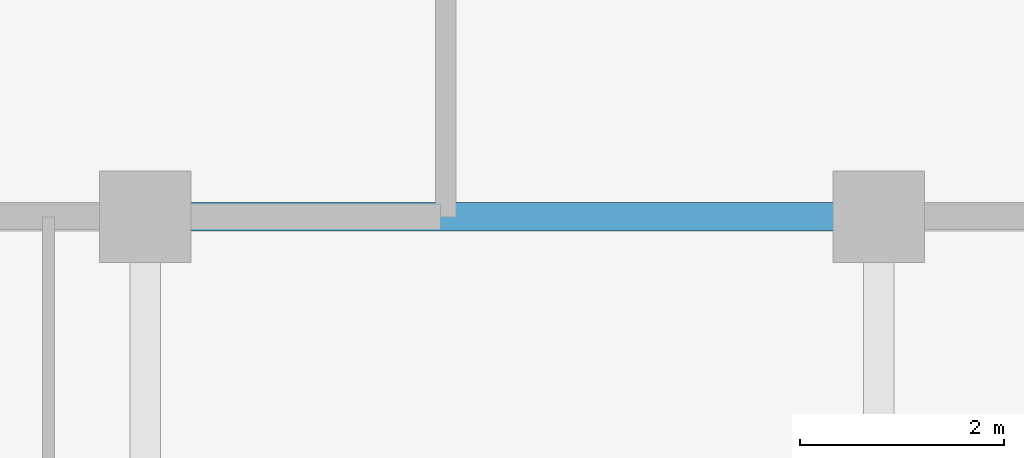
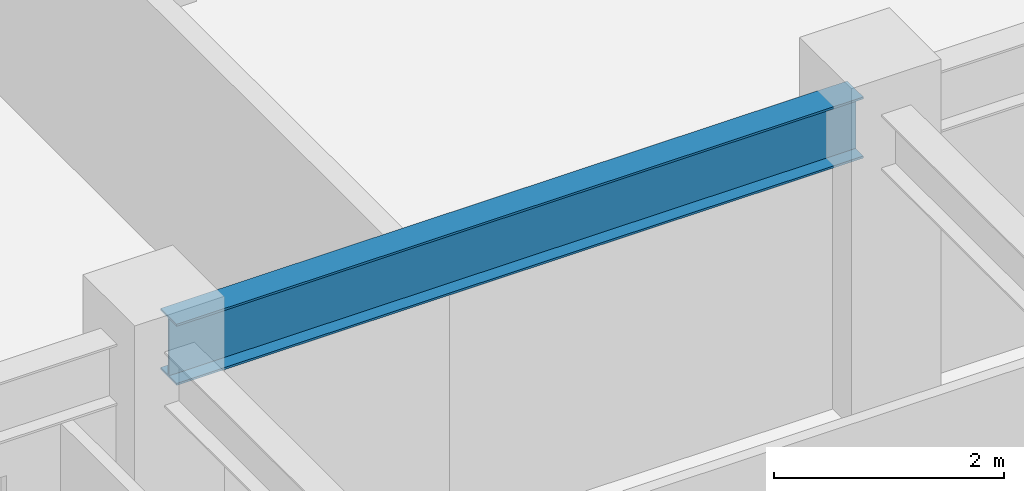
# One storey, part 9 of 25: 1 beam.
"""IFC4 building model written with IfcOpenShell, lengths in metres."""

import ifcopenshell
import ifcopenshell.guid

model = None  # the IFC model being written
_history = None  # IfcOwnerHistory: only IFC2X3 demands one
_inside = {}  # id of a spatial element -> (the spatial element, [elements in it])
_under = {}  # id of a project, library or spatial element -> (it, [spatial elements below it])
_declared = {}  # id of a project -> (the project, [libraries it declares])
_typed = {}  # id of a type object -> (the type object, [elements of that type])
_made_of = {}  # id of a material, layer set ... -> (it, [elements and type objects made of it])


def new_model(schema):
    """Start an empty IFC model of exactly this schema.

    Asked for "IFC4X3", IfcOpenShell would pick the latest addendum, in which some entities
    have other attributes; the version numbers below select the first issue.
    IFC2X3 requires an IfcOwnerHistory on every rooted entity: one is made here for all.
    """
    global model, _history
    if schema == "IFC4X3":
        model = ifcopenshell.file(schema_version=(4, 3, 0, 0))
    else:
        model = ifcopenshell.file(schema=schema)
    _inside.clear()
    _under.clear()
    _declared.clear()
    _typed.clear()
    _made_of.clear()
    _history = None
    if model.schema == "IFC2X3":
        org = make("IfcOrganization", Name="unknown")
        user = make(
            "IfcPersonAndOrganization",
            ThePerson=make("IfcPerson", FamilyName="unknown"),
            TheOrganization=org,
        )
        app = make(
            "IfcApplication",
            ApplicationDeveloper=org,
            Version="unknown",
            ApplicationFullName="unknown",
            ApplicationIdentifier="unknown",
        )
        _history = make(
            "IfcOwnerHistory",
            OwningUser=user,
            OwningApplication=app,
            ChangeAction="ADDED",
            CreationDate=0,
        )
    return model


def make(cls, **values):
    """One entity of the class cls with the attributes given. An attribute that is None is left unset."""
    return model.create_entity(
        cls, **{name: value for name, value in values.items() if value is not None}
    )


def rooted(cls, **values):
    """An entity with a GlobalId (a new one), such as an element, a storey or a relation."""
    return make(cls, GlobalId=ifcopenshell.guid.new(), OwnerHistory=_history, **values)


def si_unit(unit_type, name, prefix=None):
    """IfcSIUnit, for example si_unit("LENGTHUNIT", "METRE", prefix="MILLI")."""
    return make("IfcSIUnit", UnitType=unit_type, Prefix=prefix, Name=name)


def assignment(units):
    """IfcUnitAssignment: the units of a project."""
    return None if units is None else make("IfcUnitAssignment", Units=units)


def point(xyz):
    """IfcCartesianPoint."""
    return None if xyz is None else make("IfcCartesianPoint", Coordinates=xyz)


def direction(xyz):
    """IfcDirection."""
    return None if xyz is None else make("IfcDirection", DirectionRatios=xyz)


def frame(location, z_axis=None, x_axis=None):
    """IfcAxis2Placement3D, a coordinate frame: its origin and axes. An axis left out is left unset."""
    return make(
        "IfcAxis2Placement3D",
        Location=point(location),
        Axis=direction(z_axis),
        RefDirection=direction(x_axis),
    )


def frame_2d(location, x_axis=None):
    """IfcAxis2Placement2D, a coordinate frame in the plane: its origin and x axis."""
    return make(
        "IfcAxis2Placement2D", Location=point(location), RefDirection=direction(x_axis)
    )


def origin():
    """The frame at (0, 0, 0) with its axes left unset."""
    return frame((0.0, 0.0, 0.0))


def origin_2d():
    """The frame at (0, 0) in the plane with its x axis left unset."""
    return frame_2d((0.0, 0.0))


def place(relative_to, where):
    """IfcLocalPlacement: puts the frame where relative to a parent placement (None: the world)."""
    return make(
        "IfcLocalPlacement", PlacementRelTo=relative_to, RelativePlacement=where
    )


def context(
    kind, dimensions, precision=None, world=None, true_north=None, identifier=None
):
    """IfcGeometricRepresentationContext, for example the 3D "Model" context."""
    return make(
        "IfcGeometricRepresentationContext",
        ContextIdentifier=identifier,
        ContextType=kind,
        CoordinateSpaceDimension=dimensions,
        Precision=precision,
        WorldCoordinateSystem=world,
        TrueNorth=true_north,
    )


def subcontext(parent, identifier, kind, view, scale=None):
    """IfcGeometricRepresentationSubContext, for example "Body" below "Model"."""
    return make(
        "IfcGeometricRepresentationSubContext",
        ContextIdentifier=identifier,
        ContextType=kind,
        ParentContext=parent,
        TargetScale=scale,
        TargetView=view,
    )


def project(units=None, contexts=None):
    """IfcProject with its units and contexts."""
    return rooted(
        "IfcProject",
        Name="project",
        RepresentationContexts=contexts,
        UnitsInContext=assignment(units),
    )


def spatial(cls, under=None, at=None, **own):
    """A site, building, storey or space (cls), placed at a placement, below another one or the project."""
    s = rooted(cls, ObjectPlacement=at, **own)
    if under is not None:
        _under.setdefault(under.id(), (under, []))[1].append(s)
    return s


def profile(cls, at=None, kind="AREA", **sizes):
    """A parametric profile (cls). Its sizes go by their IFC names, for example OverallWidth=200.0."""
    return make(cls, ProfileType=kind, Position=at, **sizes)


def i_section(**sizes):
    """IfcIShapeProfileDef."""
    return profile("IfcIShapeProfileDef", **sizes)


def extrude(swept, where, along, depth):
    """IfcExtrudedAreaSolid: the profile swept, set in the frame where, extruded along a direction by depth."""
    return make(
        "IfcExtrudedAreaSolid",
        SweptArea=swept,
        Position=where,
        ExtrudedDirection=direction(along),
        Depth=depth,
    )


def shape(context_of_items, identifier, shape_type, items):
    """IfcShapeRepresentation: the items that make up one representation, for example the "Body"."""
    return make(
        "IfcShapeRepresentation",
        ContextOfItems=context_of_items,
        RepresentationIdentifier=identifier,
        RepresentationType=shape_type,
        Items=items,
    )


def source(mapping_origin, context_of_items, identifier, shape_type, items):
    """IfcRepresentationMap: a shape defined once, which mapped items show again and again."""
    return make(
        "IfcRepresentationMap",
        MappingOrigin=mapping_origin,
        MappedRepresentation=shape(context_of_items, identifier, shape_type, items),
    )


def transform(
    local_origin,
    x_axis=None,
    y_axis=None,
    z_axis=None,
    scale=None,
    scale2=None,
    scale3=None,
    uniform=True,
):
    """IfcCartesianTransformationOperator3D, or its non-uniform kind. x_axis, y_axis, z_axis: its Axis1, 2, 3."""
    if uniform:
        return make(
            "IfcCartesianTransformationOperator3D",
            Axis1=direction(x_axis),
            Axis2=direction(y_axis),
            LocalOrigin=point(local_origin),
            Scale=scale,
            Axis3=direction(z_axis),
        )
    return make(
        "IfcCartesianTransformationOperator3DnonUniform",
        Axis1=direction(x_axis),
        Axis2=direction(y_axis),
        LocalOrigin=point(local_origin),
        Scale=scale,
        Axis3=direction(z_axis),
        Scale2=scale2,
        Scale3=scale3,
    )


def mapped(mapping_source, mapping_target):
    """IfcMappedItem: shows the shape of a source again, moved by a transform."""
    return make(
        "IfcMappedItem", MappingSource=mapping_source, MappingTarget=mapping_target
    )


def material(Name=None, Category=None):
    """IfcMaterial."""
    return make("IfcMaterial", Name=Name, Category=Category)


def material_profile(
    of_material, cross_section, Name=None, Category=None, Priority=None
):
    """IfcMaterialProfile: a cross section and its material."""
    return make(
        "IfcMaterialProfile",
        Name=Name,
        Material=of_material,
        Profile=cross_section,
        Priority=Priority,
        Category=Category,
    )


def profile_set(profiles, Name=None, composite=None):
    """IfcMaterialProfileSet."""
    return make(
        "IfcMaterialProfileSet",
        Name=Name,
        MaterialProfiles=profiles,
        CompositeProfile=composite,
    )


def made_of(thing, what):
    """Note that an element or type object is made of a material, layer set ...; save() writes the relation."""
    if what is not None:
        _made_of.setdefault(what.id(), (what, []))[1].append(thing)
    return thing


def type_object(cls, material=None, **own):
    """A type object (cls), such as IfcWallType, which elements share."""
    return made_of(rooted(cls, **own), material)


def element(
    cls,
    number,
    at=None,
    inside=None,
    cuts=None,
    type_object=None,
    material=None,
    context=None,
    identifier="Body",
    shape_type=None,
    held_by="IfcProductDefinitionShape",
    body=None,
    shapes=None,
    **own,
):
    """One element of the class cls, such as IfcWall. Its Tag is "e" and its number.

    at: its placement. inside: the storey or other place that contains it. cuts: it is an
    opening in that element (IfcRelVoidsElement). A single representation is given by context,
    identifier, shape_type and body (its items); several are given by shapes. held_by: the class
    of the entity that holds the representations. save() writes the other relations.
    """
    e = rooted(cls, Tag="e%d" % number, ObjectPlacement=at, **own)
    if body is not None:
        shapes = [shape(context, identifier, shape_type, body)]
    if shapes is not None:
        e.Representation = make(held_by, Representations=shapes)
    if inside is not None:
        _inside.setdefault(inside.id(), (inside, []))[1].append(e)
    if cuts is not None:
        rooted(
            "IfcRelVoidsElement", RelatingBuildingElement=cuts, RelatedOpeningElement=e
        )
    if type_object is not None:
        _typed.setdefault(type_object.id(), (type_object, []))[1].append(e)
    return made_of(e, material)


def aggregate(whole, parts):
    """IfcRelAggregates: a whole, such as a stair, and the parts it consists of."""
    return rooted("IfcRelAggregates", RelatingObject=whole, RelatedObjects=parts)


def save(model, path):
    """Write the relations noted so far, then the file.

    IfcRelAggregates (storeys below a building ...), IfcRelContainedInSpatialStructure (elements
    in a storey), IfcRelDefinesByType, IfcRelAssociatesMaterial and IfcRelDeclares: one each for
    every whole, place, type object, material and project.
    """
    for whole, parts in _under.values():
        aggregate(whole, parts)
    for where, things in _inside.values():
        rooted(
            "IfcRelContainedInSpatialStructure",
            RelatedElements=things,
            RelatingStructure=where,
        )
    for kind, things in _typed.values():
        rooted("IfcRelDefinesByType", RelatedObjects=things, RelatingType=kind)
    for what, things in _made_of.values():
        rooted("IfcRelAssociatesMaterial", RelatedObjects=things, RelatingMaterial=what)
    for by, libraries in _declared.values():
        rooted("IfcRelDeclares", RelatingContext=by, RelatedDefinitions=libraries)
    model.write(path)


model = new_model("IFC4")

# Units and contexts
model_context = context("Model", 3, precision=1e-05, world=origin(), true_north=direction((0.0, 1.0)))
body_context = subcontext(model_context, "Body", "Model", "MODEL_VIEW")
ifc_project = project(units=[si_unit("LENGTHUNIT", "METRE"), si_unit("AREAUNIT", "SQUARE_METRE"), si_unit("VOLUMEUNIT", "CUBIC_METRE"), si_unit("PLANEANGLEUNIT", "RADIAN"), si_unit("MASSUNIT", "GRAM", prefix="KILO")], contexts=[model_context])

# Site, building, storey
site_placement = place(None, origin())
site = spatial("IfcSite", under=ifc_project, at=site_placement, CompositionType="ELEMENT")
building_placement = place(site_placement, origin())
building = spatial("IfcBuilding", under=site, at=building_placement, Name="Trelvane Seafront Commons", CompositionType="ELEMENT")
storey_placement = place(building_placement, frame((0.0, 0.0, 70.300048828125)))
storey = spatial("IfcBuildingStorey", under=building, at=storey_placement, Name="L18", CompositionType="ELEMENT", Elevation=70.300048828125)

# Beam
ifc_material = material(Name="Steel SM355 (S355)", Category="steel")
ifc_material_profile = material_profile(ifc_material, i_section(OverallWidth=0.280029296875, OverallDepth=0.64990234375, WebThickness=0.012939453125, FlangeThickness=0.02197265625, at=origin_2d()), Name="H-650x280x13x22")
ifc_profile_set = profile_set([ifc_material_profile], Name="Steel SM355 (S355)")
beam_type = type_object("IfcBeamType", Name="STR-BM-H650", PredefinedType="BEAM", material=ifc_profile_set)
shared_shape = source(origin(), body_context, "Body", "SweptSolid", [
    extrude(i_section(OverallWidth=0.280029296875, OverallDepth=0.64990234375, WebThickness=0.012939453125, FlangeThickness=0.02197265625, at=origin_2d()), origin(), (0.0, 0.0, 1.0), 6.89990234375),
])
beam_placement = place(storey_placement, frame((23.550048828125, 33.39990234375, 2.89501953125), z_axis=(1.0, 0.0, 0.0), x_axis=(0.0, 1.0, 0.0)))
element("IfcBeam", 1, at=beam_placement, inside=storey, type_object=beam_type, Name="L18 Primary Girder G-22", PredefinedType="BEAM", context=body_context, shape_type="MappedRepresentation", body=[
    mapped(shared_shape, transform((0.0, 0.0, 0.0), x_axis=(1.0, 0.0, 0.0), y_axis=(0.0, 1.0, 0.0), z_axis=(0.0, 0.0, 1.0), scale=1.0)),
])

save(model, "model.ifc")
